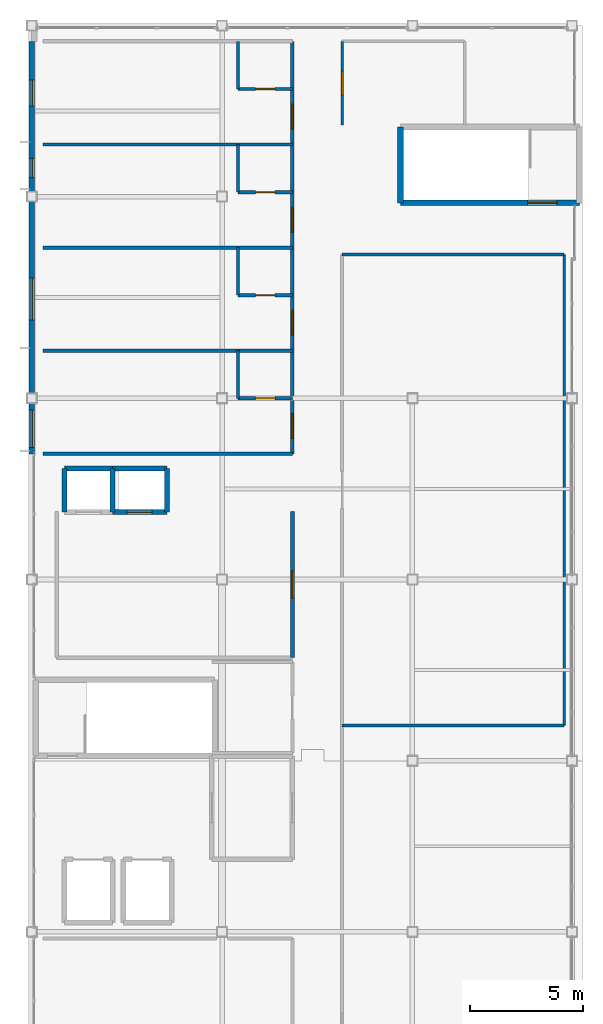
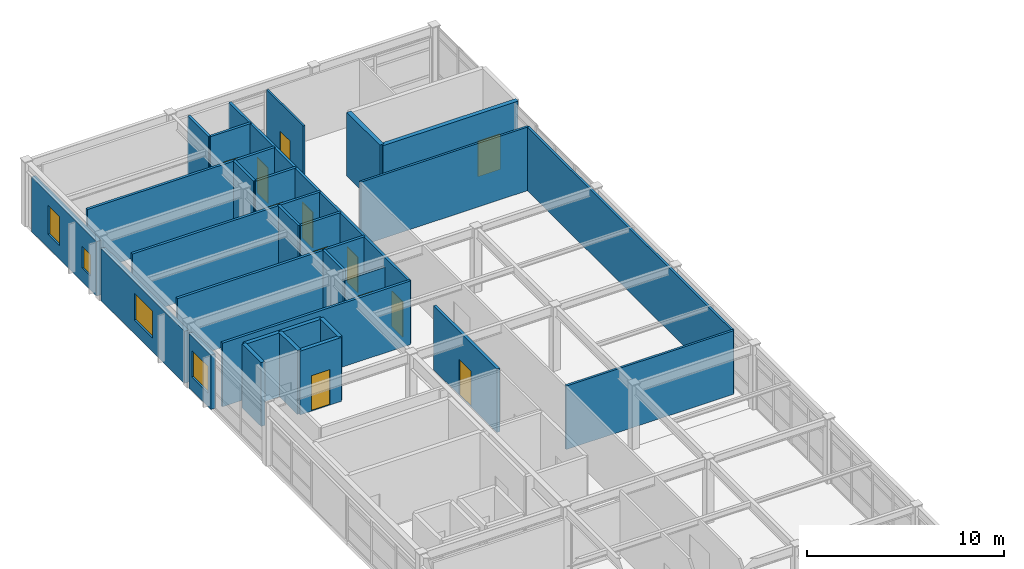
# One storey, part 32 of 34: 29 walls, 12 doors, 4 windows, 16 openings.
"""IFC4 building model written with IfcOpenShell, lengths in metres."""

from ifc_helpers import new_model, si_unit, direction, frame, frame_2d, origin, place, context, subcontext, project, spatial, rectangle, extrude, material, layer, layer_set, type_object, element, fill, save


model = new_model("IFC4")

# Units and contexts
model_context = context("Model", 3, precision=1e-05, world=origin(), true_north=direction((0.0, 1.0)))
body_context = subcontext(model_context, "Body", "Model", "MODEL_VIEW")
ifc_project = project(units=[si_unit("LENGTHUNIT", "METRE"), si_unit("AREAUNIT", "SQUARE_METRE"), si_unit("VOLUMEUNIT", "CUBIC_METRE"), si_unit("PLANEANGLEUNIT", "RADIAN"), si_unit("MASSUNIT", "GRAM", prefix="KILO")], contexts=[model_context])

# Site, building, storey
site_placement = place(None, origin())
site = spatial("IfcSite", under=ifc_project, at=site_placement, CompositionType="ELEMENT")
building_placement = place(site_placement, origin())
building = spatial("IfcBuilding", under=site, at=building_placement, Name="Kazehara Bluff Congress Hotel", CompositionType="ELEMENT")
storey_placement = place(building_placement, frame((0.0, 0.0, 46.199951171875)))
storey = spatial("IfcBuildingStorey", under=building, at=storey_placement, Name="L11", CompositionType="ELEMENT", Elevation=46.199951171875)

# Wall
ifc_material_1 = material(Name="Concrete C40/50", Category="concrete")
ifc_layer_1 = layer(ifc_material_1, 0.25)
ifc_layer_set_1 = layer_set([ifc_layer_1], Name="Concrete C40/50")
wall_type_1 = type_object("IfcWallType", Name="TP-CW-RC", PredefinedType="SHEAR", material=ifc_layer_set_1)
wall_1_placement = place(storey_placement, frame((159.97509765625, 73.074951171875, 0.0), z_axis=(0.0, 0.0, 1.0), x_axis=(0.0, 1.0, 0.0)))
element("IfcWall", 1, at=wall_1_placement, inside=storey, type_object=wall_type_1, Name="L11 ST-12 core wall far", PredefinedType="SHEAR", context=body_context, shape_type="SweptSolid", body=[
    extrude(rectangle(XDim=3.35009765625, YDim=0.25, at=frame_2d((1.675048828125, 0.0))), origin(), (0.0, 0.0, 1.0), 3.949951171875),
])

# Wall, opening, door
wall_2_placement = place(storey_placement, frame((167.875, 73.074951171875, 0.0), z_axis=(0.0, 0.0, 1.0), x_axis=(-1.0, 0.0, 0.0)))
wall_2 = element("IfcWall", 2, at=wall_2_placement, inside=storey, type_object=wall_type_1, Name="L11 ST-12 core wall right", PredefinedType="SHEAR", context=body_context, shape_type="SweptSolid", body=[
    extrude(rectangle(XDim=7.89990234375, YDim=0.25, at=frame_2d((3.949951171875, 0.0))), origin(), (0.0, 0.0, 1.0), 3.949951171875),
])
opening_1_placement = place(wall_2_placement, frame((0.985107421875, 0.0, 0.0)))
opening_1 = element("IfcOpeningElement", 3, at=opening_1_placement, cuts=wall_2, Name="Opening FD-01", PredefinedType="OPENING", context=body_context, shape_type="SweptSolid", body=[
    extrude(rectangle(XDim=1.300048828125, YDim=2.199951171875, at=frame_2d((0.64990234375, 1.10009765625))), frame((0.0, 0.135009765625, 0.0), z_axis=(0.0, -1.0, 0.0), x_axis=(1.0, 0.0, 0.0)), (0.0, 0.0, 1.0), 0.27001953125),
])
ifc_material_2 = material(Name="Fire-rated painted steel leaf", Category="steel")
door_type_1 = type_object("IfcDoorType", Name="TP-FD-01", OperationType="NOTDEFINED", PredefinedType="DOOR", material=ifc_material_2)
door_1_placement = place(opening_1_placement, origin())
door_1 = element("IfcDoor", 4, at=door_1_placement, inside=storey, type_object=door_type_1, Name="L11 ST-12 fire stair door", OperationType="SINGLE_SWING_LEFT", OverallHeight=2.199951171875, OverallWidth=1.300048828125, PredefinedType="DOOR", context=body_context, shape_type="SweptSolid", body=[
    extrude(rectangle(XDim=1.300048828125, YDim=2.199951171875, at=frame_2d((0.64990234375, 1.10009765625))), frame((0.0, 0.02490234375, 0.0), z_axis=(0.0, -1.0, 0.0), x_axis=(1.0, 0.0, 0.0)), (0.0, 0.0, 1.0), 0.050048828125),
])
fill(opening_1, door_1)

# Wall, opening, window
ifc_material_3 = material(Name="Precast concrete C40/50", Category="concrete")
ifc_layer_2 = layer(ifc_material_3, 0.260009765625)
ifc_layer_set_2 = layer_set([ifc_layer_2], Name="Precast concrete C40/50")
wall_type_2 = type_object("IfcWallType", Name="TP-EW-260", PredefinedType="SOLIDWALL", material=ifc_layer_set_2)
wall_3_placement = place(storey_placement, frame((143.699951171875, 62.0, 0.0), z_axis=(0.0, 0.0, 1.0), x_axis=(0.0, 1.0, 0.0)))
wall_3 = element("IfcWall", 5, at=wall_3_placement, inside=storey, type_object=wall_type_2, Name="L11 hotel facade panel 162", PredefinedType="SOLIDWALL", context=body_context, shape_type="SweptSolid", body=[
    extrude(rectangle(XDim=2.22509765625, YDim=0.260009765625, at=frame_2d((1.112548828125, 0.0))), origin(), (0.0, 0.0, 1.0), 3.375),
])
opening_2_placement = place(wall_3_placement, frame((0.284912109375, 0.0, 0.85009765625)))
opening_2 = element("IfcOpeningElement", 6, at=opening_2_placement, cuts=wall_3, Name="Opening WN-28", PredefinedType="OPENING", context=body_context, shape_type="SweptSolid", body=[
    extrude(rectangle(XDim=1.64990234375, YDim=1.64990234375, at=frame_2d((0.824951171875, 0.824951171875))), frame((0.0, 0.139892578125, 0.0), z_axis=(0.0, -1.0, 0.0), x_axis=(1.0, 0.0, 0.0)), (0.0, 0.0, 1.0), 0.280029296875),
])
ifc_material_4 = material(Name="Insulated low-E double glazing", Category="glass")
window_type_1 = type_object("IfcWindowType", Name="TP-WN-28", PartitioningType="SINGLE_PANEL", PredefinedType="WINDOW", material=ifc_material_4)
window_1_placement = place(opening_2_placement, origin())
window_1 = element("IfcWindow", 7, at=window_1_placement, inside=storey, type_object=window_type_1, Name="L11 guestroom window WN-28 321", OverallHeight=1.64990234375, OverallWidth=1.64990234375, PartitioningType="SINGLE_PANEL", PredefinedType="WINDOW", context=body_context, shape_type="SweptSolid", body=[
    extrude(rectangle(XDim=1.64990234375, YDim=1.64990234375, at=frame_2d((0.824951171875, 0.824951171875))), frame((0.0, 0.030029296875, 0.0), z_axis=(0.0, -1.0, 0.0), x_axis=(1.0, 0.0, 0.0)), (0.0, 0.0, 1.0), 0.06005859375),
])
fill(opening_2, window_1)

wall_4_placement = place(storey_placement, frame((143.699951171875, 64.675048828125, 0.0), z_axis=(0.0, 0.0, 1.0), x_axis=(0.0, 1.0, 0.0)))
wall_4 = element("IfcWall", 8, at=wall_4_placement, inside=storey, type_object=wall_type_2, Name="L11 hotel facade panel 163", PredefinedType="SOLIDWALL", context=body_context, shape_type="SweptSolid", body=[
    extrude(rectangle(XDim=8.449951171875, YDim=0.260009765625, at=frame_2d((4.22509765625, 0.0))), origin(), (0.0, 0.0, 1.0), 3.22509765625),
])
opening_3_placement = place(wall_4_placement, frame((3.22509765625, 0.0, 0.85009765625)))
opening_3 = element("IfcOpeningElement", 9, at=opening_3_placement, cuts=wall_4, Name="Opening WN-38", PredefinedType="OPENING", context=body_context, shape_type="SweptSolid", body=[
    extrude(rectangle(XDim=1.85009765625, YDim=1.64990234375, at=frame_2d((0.925048828125, 0.824951171875))), frame((0.0, 0.139892578125, 0.0), z_axis=(0.0, -1.0, 0.0), x_axis=(1.0, 0.0, 0.0)), (0.0, 0.0, 1.0), 0.280029296875),
])
ifc_material_5 = material(Name="Insulated low-E double glazing", Category="glass")
window_type_2 = type_object("IfcWindowType", Name="TP-WN-38", PartitioningType="DOUBLE_PANEL_VERTICAL", PredefinedType="WINDOW", material=ifc_material_5)
window_2_placement = place(opening_3_placement, origin())
window_2 = element("IfcWindow", 10, at=window_2_placement, inside=storey, type_object=window_type_2, Name="L11 guestroom window WN-38 322", OverallHeight=1.64990234375, OverallWidth=1.85009765625, PartitioningType="SINGLE_PANEL", PredefinedType="WINDOW", context=body_context, shape_type="SweptSolid", body=[
    extrude(rectangle(XDim=1.85009765625, YDim=1.64990234375, at=frame_2d((0.925048828125, 0.824951171875))), frame((0.0, 0.030029296875, 0.0), z_axis=(0.0, -1.0, 0.0), x_axis=(1.0, 0.0, 0.0)), (0.0, 0.0, 1.0), 0.06005859375),
])
fill(opening_3, window_2)

# Wall, openings, windows
wall_5_placement = place(storey_placement, frame((143.699951171875, 73.574951171875, 0.0), z_axis=(0.0, 0.0, 1.0), x_axis=(0.0, 1.0, 0.0)))
wall_5 = element("IfcWall", 11, at=wall_5_placement, inside=storey, type_object=wall_type_2, Name="L11 hotel facade panel 164", PredefinedType="SOLIDWALL", context=body_context, shape_type="SweptSolid", body=[
    extrude(rectangle(XDim=6.625, YDim=0.260009765625, at=frame_2d((3.3125, 0.0))), origin(), (0.0, 0.0, 1.0), 3.375),
])
opening_4_placement = place(wall_5_placement, frame((0.614990234375, 0.0, 0.85009765625)))
opening_4 = element("IfcOpeningElement", 12, at=opening_4_placement, cuts=wall_5, Name="Opening WN-55", PredefinedType="OPENING", context=body_context, shape_type="SweptSolid", body=[
    extrude(rectangle(XDim=0.85009765625, YDim=1.35009765625, at=frame_2d((0.425048828125, 0.675048828125))), frame((0.0, 0.139892578125, 0.0), z_axis=(0.0, -1.0, 0.0), x_axis=(1.0, 0.0, 0.0)), (0.0, 0.0, 1.0), 0.280029296875),
])
opening_5_placement = place(wall_5_placement, frame((3.77490234375, 0.0, 0.85009765625)))
opening_5 = element("IfcOpeningElement", 13, at=opening_5_placement, cuts=wall_5, Name="Opening WN-04", PredefinedType="OPENING", context=body_context, shape_type="SweptSolid", body=[
    extrude(rectangle(XDim=1.14990234375, YDim=1.800048828125, at=frame_2d((0.574951171875, 0.89990234375))), frame((0.0, 0.139892578125, 0.0), z_axis=(0.0, -1.0, 0.0), x_axis=(1.0, 0.0, 0.0)), (0.0, 0.0, 1.0), 0.280029296875),
])
ifc_material_6 = material(Name="Insulated low-E double glazing", Category="glass")
window_type_3 = type_object("IfcWindowType", Name="TP-WN-04", PartitioningType="SINGLE_PANEL", PredefinedType="WINDOW", material=ifc_material_6)
window_3_placement = place(opening_5_placement, origin())
window_3 = element("IfcWindow", 14, at=window_3_placement, inside=storey, type_object=window_type_3, Name="L11 guestroom window WN-04 324", OverallHeight=1.800048828125, OverallWidth=1.14990234375, PartitioningType="SINGLE_PANEL", PredefinedType="WINDOW", context=body_context, shape_type="SweptSolid", body=[
    extrude(rectangle(XDim=1.14990234375, YDim=1.800048828125, at=frame_2d((0.574951171875, 0.89990234375))), frame((0.0, 0.030029296875, 0.0), z_axis=(0.0, -1.0, 0.0), x_axis=(1.0, 0.0, 0.0)), (0.0, 0.0, 1.0), 0.06005859375),
])
fill(opening_5, window_3)
ifc_material_7 = material(Name="Insulated low-E double glazing", Category="glass")
window_type_4 = type_object("IfcWindowType", Name="TP-WN-55", PartitioningType="SINGLE_PANEL", PredefinedType="WINDOW", material=ifc_material_7)
window_4_placement = place(opening_4_placement, origin())
window_4 = element("IfcWindow", 15, at=window_4_placement, inside=storey, type_object=window_type_4, Name="L11 guestroom window WN-55 323", OverallHeight=1.35009765625, OverallWidth=0.85009765625, PartitioningType="SINGLE_PANEL", PredefinedType="WINDOW", context=body_context, shape_type="SweptSolid", body=[
    extrude(rectangle(XDim=0.85009765625, YDim=1.35009765625, at=frame_2d((0.425048828125, 0.675048828125))), frame((0.0, 0.030029296875, 0.0), z_axis=(0.0, -1.0, 0.0), x_axis=(1.0, 0.0, 0.0)), (0.0, 0.0, 1.0), 0.06005859375),
])
fill(opening_4, window_4)

# Wall, opening, door
ifc_material_8 = material(Name="Fire-rated gypsum board stud partition")
ifc_layer_3 = layer(ifc_material_8, 0.110107421875)
ifc_layer_set_3 = layer_set([ifc_layer_3], Name="Fire-rated gypsum board stud partition")
wall_type_3 = type_object("IfcWallType", Name="TP-PT-110", PredefinedType="PARTITIONING", material=ifc_layer_set_3)
wall_6_placement = place(storey_placement, frame((157.39990234375, 76.5, 0.0), z_axis=(0.0, 0.0, 1.0), x_axis=(0.0, 1.0, 0.0)))
wall_6 = element("IfcWall", 16, at=wall_6_placement, inside=storey, type_object=wall_type_3, Name="L11 partition PT-110 1452", PredefinedType="PARTITIONING", context=body_context, shape_type="SweptSolid", body=[
    extrude(rectangle(XDim=3.699951171875, YDim=0.110107421875, at=frame_2d((1.85009765625, 0.0))), origin(), (0.0, 0.0, 1.0), 3.93505859375),
])
opening_6_placement = place(wall_6_placement, frame((1.324951171875, 0.0, 0.0)))
opening_6 = element("IfcOpeningElement", 17, at=opening_6_placement, cuts=wall_6, Name="Opening ID-02", PredefinedType="OPENING", context=body_context, shape_type="SweptSolid", body=[
    extrude(rectangle(XDim=1.050048828125, YDim=2.199951171875, at=frame_2d((0.52490234375, 1.10009765625))), frame((0.0, 0.06494140625, 0.0), z_axis=(0.0, -1.0, 0.0), x_axis=(1.0, 0.0, 0.0)), (0.0, 0.0, 1.0), 0.130126953125),
])
ifc_material_9 = material(Name="Architectural oak veneer leaf")
door_type_2 = type_object("IfcDoorType", Name="TP-ID-02", OperationType="NOTDEFINED", PredefinedType="DOOR", material=ifc_material_9)
door_2_placement = place(opening_6_placement, origin())
door_2 = element("IfcDoor", 18, at=door_2_placement, inside=storey, type_object=door_type_2, Name="L11 Sky Restaurant Accessible WC door", OperationType="SINGLE_SWING_LEFT", OverallHeight=2.199951171875, OverallWidth=1.050048828125, PredefinedType="DOOR", context=body_context, shape_type="SweptSolid", body=[
    extrude(rectangle(XDim=1.050048828125, YDim=2.199951171875, at=frame_2d((0.52490234375, 1.10009765625))), frame((0.0, 0.02490234375, 0.0), z_axis=(0.0, -1.0, 0.0), x_axis=(1.0, 0.0, 0.0)), (0.0, 0.0, 1.0), 0.050048828125),
])
fill(opening_6, door_2)

# Walls
ifc_material_10 = material(Name="Fire-rated gypsum board stud partition")
ifc_layer_4 = layer(ifc_material_10, 0.1298828125)
ifc_layer_set_4 = layer_set([ifc_layer_4], Name="Fire-rated gypsum board stud partition")
wall_type_4 = type_object("IfcWallType", Name="TP-PT-130", PredefinedType="PARTITIONING", material=ifc_layer_set_4)
for number, where, z_axis, x_axis, name in (
    (19, (157.39990234375, 50.0, 0.0), (0.0, 0.0, 1.0), (1.0, 0.0, 0.0), "L11 partition PT-130 1424"),
    (20, (157.39990234375, 70.800048828125, 0.0), (0.0, 0.0, 1.0), (1.0, 0.0, 0.0), "L11 partition PT-130 1431"),
):
    element("IfcWall", number, at=place(storey_placement, frame(where, z_axis=z_axis, x_axis=x_axis)), inside=storey, type_object=wall_type_4, Name=name, PredefinedType="PARTITIONING", context=body_context, shape_type="SweptSolid", body=[
        extrude(rectangle(XDim=9.800048828125, YDim=0.1298828125, at=frame_2d((4.89990234375, 0.0))), origin(), (0.0, 0.0, 1.0), 3.93505859375),
    ])
wall_7_placement = place(storey_placement, frame((167.199951171875, 50.0, 0.0), z_axis=(0.0, 0.0, 1.0), x_axis=(0.0, 1.0, 0.0)))
element("IfcWall", 21, at=wall_7_placement, inside=storey, type_object=wall_type_4, Name="L11 partition PT-130 1454", PredefinedType="PARTITIONING", context=body_context, shape_type="SweptSolid", body=[
    extrude(rectangle(XDim=20.800048828125, YDim=0.1298828125, at=frame_2d((10.39990234375, 0.0))), origin(), (0.0, 0.0, 1.0), 3.93505859375),
])
ifc_material_11 = material(Name="Fire-rated gypsum board stud partition")
ifc_layer_5 = layer(ifc_material_11, 0.14990234375)
ifc_layer_set_5 = layer_set([ifc_layer_5], Name="Fire-rated gypsum board stud partition")
wall_type_5 = type_object("IfcWallType", Name="TP-PT-150", PredefinedType="PARTITIONING", material=ifc_layer_set_5)
wall_8_placement = place(storey_placement, frame((144.199951171875, 62.0, 0.0), z_axis=(0.0, 0.0, 1.0), x_axis=(1.0, 0.0, 0.0)))
element("IfcWall", 22, at=wall_8_placement, inside=storey, type_object=wall_type_5, Name="L11 partition PT-150 1427", PredefinedType="PARTITIONING", context=body_context, shape_type="SweptSolid", body=[
    extrude(rectangle(XDim=11.0, YDim=0.14990234375, at=frame_2d((5.5, 0.0))), origin(), (0.0, 0.0, 1.0), 3.93505859375),
])

# Wall, opening, door
wall_9_placement = place(storey_placement, frame((152.800048828125, 64.449951171875, 0.0), z_axis=(0.0, 0.0, 1.0), x_axis=(1.0, 0.0, 0.0)))
wall_9 = element("IfcWall", 23, at=wall_9_placement, inside=storey, type_object=wall_type_5, Name="L11 partition PT-150 1428", PredefinedType="PARTITIONING", context=body_context, shape_type="SweptSolid", body=[
    extrude(rectangle(XDim=2.39990234375, YDim=0.14990234375, at=frame_2d((1.199951171875, 0.0))), origin(), (0.0, 0.0, 1.0), 3.324951171875),
])
opening_7_placement = place(wall_9_placement, frame((0.77490234375, 0.0, 0.0)))
opening_7 = element("IfcOpeningElement", 24, at=opening_7_placement, cuts=wall_9, Name="Opening BD-01", PredefinedType="OPENING", context=body_context, shape_type="SweptSolid", body=[
    extrude(rectangle(XDim=0.85009765625, YDim=2.10009765625, at=frame_2d((0.425048828125, 1.050048828125))), frame((0.0, 0.0849609375, 0.0), z_axis=(0.0, -1.0, 0.0), x_axis=(1.0, 0.0, 0.0)), (0.0, 0.0, 1.0), 0.169921875),
])
ifc_material_12 = material(Name="Architectural oak veneer leaf")
door_type_3 = type_object("IfcDoorType", Name="TP-BD-01", OperationType="NOTDEFINED", PredefinedType="DOOR", material=ifc_material_12)
door_3_placement = place(opening_7_placement, origin())
door_3 = element("IfcDoor", 25, at=door_3_placement, inside=storey, type_object=door_type_3, Name="L11 En-suite Bathroom 321 door", OperationType="SINGLE_SWING_LEFT", OverallHeight=2.10009765625, OverallWidth=0.85009765625, PredefinedType="DOOR", context=body_context, shape_type="SweptSolid", body=[
    extrude(rectangle(XDim=0.85009765625, YDim=2.10009765625, at=frame_2d((0.425048828125, 1.050048828125))), frame((0.0, 0.02490234375, 0.0), z_axis=(0.0, -1.0, 0.0), x_axis=(1.0, 0.0, 0.0)), (0.0, 0.0, 1.0), 0.050048828125),
])
fill(opening_7, door_3)

# Wall
wall_10_placement = place(storey_placement, frame((144.199951171875, 66.550048828125, 0.0), z_axis=(0.0, 0.0, 1.0), x_axis=(1.0, 0.0, 0.0)))
element("IfcWall", 26, at=wall_10_placement, inside=storey, type_object=wall_type_5, Name="L11 partition PT-150 1429", PredefinedType="PARTITIONING", context=body_context, shape_type="SweptSolid", body=[
    extrude(rectangle(XDim=11.0, YDim=0.14990234375, at=frame_2d((5.5, 0.0))), origin(), (0.0, 0.0, 1.0), 3.93505859375),
])

# Wall, opening, door
wall_11_placement = place(storey_placement, frame((152.800048828125, 69.0, 0.0), z_axis=(0.0, 0.0, 1.0), x_axis=(1.0, 0.0, 0.0)))
wall_11 = element("IfcWall", 27, at=wall_11_placement, inside=storey, type_object=wall_type_5, Name="L11 partition PT-150 1430", PredefinedType="PARTITIONING", context=body_context, shape_type="SweptSolid", body=[
    extrude(rectangle(XDim=2.39990234375, YDim=0.14990234375, at=frame_2d((1.199951171875, 0.0))), origin(), (0.0, 0.0, 1.0), 3.93505859375),
])
opening_8_placement = place(wall_11_placement, frame((0.77490234375, 0.0, 0.0)))
opening_8 = element("IfcOpeningElement", 28, at=opening_8_placement, cuts=wall_11, Name="Opening BD-01", PredefinedType="OPENING", context=body_context, shape_type="SweptSolid", body=[
    extrude(rectangle(XDim=0.85009765625, YDim=2.10009765625, at=frame_2d((0.425048828125, 1.050048828125))), frame((0.0, 0.0849609375, 0.0), z_axis=(0.0, -1.0, 0.0), x_axis=(1.0, 0.0, 0.0)), (0.0, 0.0, 1.0), 0.169921875),
])
door_4_placement = place(opening_8_placement, origin())
door_4 = element("IfcDoor", 29, at=door_4_placement, inside=storey, type_object=door_type_3, Name="L11 En-suite Bathroom 322 door", OperationType="SINGLE_SWING_LEFT", OverallHeight=2.10009765625, OverallWidth=0.85009765625, PredefinedType="DOOR", context=body_context, shape_type="SweptSolid", body=[
    extrude(rectangle(XDim=0.85009765625, YDim=2.10009765625, at=frame_2d((0.425048828125, 1.050048828125))), frame((0.0, 0.02490234375, 0.0), z_axis=(0.0, -1.0, 0.0), x_axis=(1.0, 0.0, 0.0)), (0.0, 0.0, 1.0), 0.050048828125),
])
fill(opening_8, door_4)

# Wall
wall_12_placement = place(storey_placement, frame((144.199951171875, 71.10009765625, 0.0), z_axis=(0.0, 0.0, 1.0), x_axis=(1.0, 0.0, 0.0)))
element("IfcWall", 30, at=wall_12_placement, inside=storey, type_object=wall_type_5, Name="L11 partition PT-150 1432", PredefinedType="PARTITIONING", context=body_context, shape_type="SweptSolid", body=[
    extrude(rectangle(XDim=11.0, YDim=0.14990234375, at=frame_2d((5.5, 0.0))), origin(), (0.0, 0.0, 1.0), 3.93505859375),
])

# Wall, opening, door
wall_13_placement = place(storey_placement, frame((152.800048828125, 73.550048828125, 0.0), z_axis=(0.0, 0.0, 1.0), x_axis=(1.0, 0.0, 0.0)))
wall_13 = element("IfcWall", 31, at=wall_13_placement, inside=storey, type_object=wall_type_5, Name="L11 partition PT-150 1433", PredefinedType="PARTITIONING", context=body_context, shape_type="SweptSolid", body=[
    extrude(rectangle(XDim=2.39990234375, YDim=0.14990234375, at=frame_2d((1.199951171875, 0.0))), origin(), (0.0, 0.0, 1.0), 3.93505859375),
])
opening_9_placement = place(wall_13_placement, frame((0.77490234375, 0.0, 0.0)))
opening_9 = element("IfcOpeningElement", 32, at=opening_9_placement, cuts=wall_13, Name="Opening BD-01", PredefinedType="OPENING", context=body_context, shape_type="SweptSolid", body=[
    extrude(rectangle(XDim=0.85009765625, YDim=2.10009765625, at=frame_2d((0.425048828125, 1.050048828125))), frame((0.0, 0.0849609375, 0.0), z_axis=(0.0, -1.0, 0.0), x_axis=(1.0, 0.0, 0.0)), (0.0, 0.0, 1.0), 0.169921875),
])
door_5_placement = place(opening_9_placement, origin())
door_5 = element("IfcDoor", 33, at=door_5_placement, inside=storey, type_object=door_type_3, Name="L11 En-suite Bathroom 323 door", OperationType="SINGLE_SWING_LEFT", OverallHeight=2.10009765625, OverallWidth=0.85009765625, PredefinedType="DOOR", context=body_context, shape_type="SweptSolid", body=[
    extrude(rectangle(XDim=0.85009765625, YDim=2.10009765625, at=frame_2d((0.425048828125, 1.050048828125))), frame((0.0, 0.02490234375, 0.0), z_axis=(0.0, -1.0, 0.0), x_axis=(1.0, 0.0, 0.0)), (0.0, 0.0, 1.0), 0.050048828125),
])
fill(opening_9, door_5)

# Wall
wall_14_placement = place(storey_placement, frame((144.199951171875, 75.64990234375, 0.0), z_axis=(0.0, 0.0, 1.0), x_axis=(1.0, 0.0, 0.0)))
element("IfcWall", 34, at=wall_14_placement, inside=storey, type_object=wall_type_5, Name="L11 partition PT-150 1434", PredefinedType="PARTITIONING", context=body_context, shape_type="SweptSolid", body=[
    extrude(rectangle(XDim=11.0, YDim=0.14990234375, at=frame_2d((5.5, 0.0))), origin(), (0.0, 0.0, 1.0), 3.93505859375),
])

# Wall, opening, door
wall_15_placement = place(storey_placement, frame((152.800048828125, 78.10009765625, 0.0), z_axis=(0.0, 0.0, 1.0), x_axis=(1.0, 0.0, 0.0)))
wall_15 = element("IfcWall", 35, at=wall_15_placement, inside=storey, type_object=wall_type_5, Name="L11 partition PT-150 1435", PredefinedType="PARTITIONING", context=body_context, shape_type="SweptSolid", body=[
    extrude(rectangle(XDim=2.39990234375, YDim=0.14990234375, at=frame_2d((1.199951171875, 0.0))), origin(), (0.0, 0.0, 1.0), 3.93505859375),
])
opening_10_placement = place(wall_15_placement, frame((0.77490234375, 0.0, 0.0)))
opening_10 = element("IfcOpeningElement", 36, at=opening_10_placement, cuts=wall_15, Name="Opening BD-01", PredefinedType="OPENING", context=body_context, shape_type="SweptSolid", body=[
    extrude(rectangle(XDim=0.85009765625, YDim=2.10009765625, at=frame_2d((0.425048828125, 1.050048828125))), frame((0.0, 0.0849609375, 0.0), z_axis=(0.0, -1.0, 0.0), x_axis=(1.0, 0.0, 0.0)), (0.0, 0.0, 1.0), 0.169921875),
])
door_6_placement = place(opening_10_placement, origin())
door_6 = element("IfcDoor", 37, at=door_6_placement, inside=storey, type_object=door_type_3, Name="L11 En-suite Bathroom 324 door", OperationType="SINGLE_SWING_LEFT", OverallHeight=2.10009765625, OverallWidth=0.85009765625, PredefinedType="DOOR", context=body_context, shape_type="SweptSolid", body=[
    extrude(rectangle(XDim=0.85009765625, YDim=2.10009765625, at=frame_2d((0.425048828125, 1.050048828125))), frame((0.0, 0.02490234375, 0.0), z_axis=(0.0, -1.0, 0.0), x_axis=(1.0, 0.0, 0.0)), (0.0, 0.0, 1.0), 0.050048828125),
])
fill(opening_10, door_6)

# Walls
for number, where, z_axis, x_axis, name in (
    (38, (152.800048828125, 64.449951171875, 0.0), (0.0, 0.0, 1.0), (0.0, 1.0, 0.0), "L11 partition PT-150 1440"),
    (39, (152.800048828125, 69.0, 0.0), (0.0, 0.0, 1.0), (0.0, 1.0, 0.0), "L11 partition PT-150 1441"),
):
    element("IfcWall", number, at=place(storey_placement, frame(where, z_axis=z_axis, x_axis=x_axis)), inside=storey, type_object=wall_type_5, Name=name, PredefinedType="PARTITIONING", context=body_context, shape_type="SweptSolid", body=[
        extrude(rectangle(XDim=2.10009765625, YDim=0.14990234375, at=frame_2d((1.050048828125, 0.0))), origin(), (0.0, 0.0, 1.0), 3.93505859375),
    ])
for number, where, z_axis, x_axis, name in (
    (40, (152.800048828125, 73.550048828125, 0.0), (0.0, 0.0, 1.0), (0.0, 1.0, 0.0), "L11 partition PT-150 1442"),
    (41, (152.800048828125, 78.10009765625, 0.0), (0.0, 0.0, 1.0), (0.0, 1.0, 0.0), "L11 partition PT-150 1443"),
):
    element("IfcWall", number, at=place(storey_placement, frame(where, z_axis=z_axis, x_axis=x_axis)), inside=storey, type_object=wall_type_5, Name=name, PredefinedType="PARTITIONING", context=body_context, shape_type="SweptSolid", body=[
        extrude(rectangle(XDim=2.099853515625, YDim=0.14990234375, at=frame_2d((1.0498046875, 0.0))), origin(), (0.0, 0.0, 1.0), 3.93505859375),
    ])

# Wall, openings, doors
wall_16_placement = place(storey_placement, frame((155.199951171875, 62.0, 0.0), z_axis=(0.0, 0.0, 1.0), x_axis=(0.0, 1.0, 0.0)))
wall_16 = element("IfcWall", 42, at=wall_16_placement, inside=storey, type_object=wall_type_5, Name="L11 partition PT-150 1450", PredefinedType="PARTITIONING", context=body_context, shape_type="SweptSolid", body=[
    extrude(rectangle(XDim=18.199951171875, YDim=0.14990234375, at=frame_2d((9.10009765625, 0.0))), origin(), (0.0, 0.0, 1.0), 3.93505859375),
])
opening_11_placement = place(wall_16_placement, frame((0.675048828125, 0.0, 0.0)))
opening_11 = element("IfcOpeningElement", 43, at=opening_11_placement, cuts=wall_16, Name="Opening GD-02", PredefinedType="OPENING", context=body_context, shape_type="SweptSolid", body=[
    extrude(rectangle(XDim=1.10009765625, YDim=2.199951171875, at=frame_2d((0.550048828125, 1.10009765625))), frame((0.0, 0.0849609375, 0.0), z_axis=(0.0, -1.0, 0.0), x_axis=(1.0, 0.0, 0.0)), (0.0, 0.0, 1.0), 0.169921875),
])
opening_12_placement = place(wall_16_placement, frame((5.22509765625, 0.0, 0.0)))
opening_12 = element("IfcOpeningElement", 44, at=opening_12_placement, cuts=wall_16, Name="Opening GD-02", PredefinedType="OPENING", context=body_context, shape_type="SweptSolid", body=[
    extrude(rectangle(XDim=1.10009765625, YDim=2.199951171875, at=frame_2d((0.550048828125, 1.10009765625))), frame((0.0, 0.0849609375, 0.0), z_axis=(0.0, -1.0, 0.0), x_axis=(1.0, 0.0, 0.0)), (0.0, 0.0, 1.0), 0.169921875),
])
opening_13_placement = place(wall_16_placement, frame((9.77490234375, 0.0, 0.0)))
opening_13 = element("IfcOpeningElement", 45, at=opening_13_placement, cuts=wall_16, Name="Opening GD-02", PredefinedType="OPENING", context=body_context, shape_type="SweptSolid", body=[
    extrude(rectangle(XDim=1.10009765625, YDim=2.199951171875, at=frame_2d((0.550048828125, 1.10009765625))), frame((0.0, 0.0849609375, 0.0), z_axis=(0.0, -1.0, 0.0), x_axis=(1.0, 0.0, 0.0)), (0.0, 0.0, 1.0), 0.169921875),
])
opening_14_placement = place(wall_16_placement, frame((14.324951171875, 0.0, 0.0)))
opening_14 = element("IfcOpeningElement", 46, at=opening_14_placement, cuts=wall_16, Name="Opening GD-02", PredefinedType="OPENING", context=body_context, shape_type="SweptSolid", body=[
    extrude(rectangle(XDim=1.10009765625, YDim=2.199951171875, at=frame_2d((0.550048828125, 1.10009765625))), frame((0.0, 0.0849609375, 0.0), z_axis=(0.0, -1.0, 0.0), x_axis=(1.0, 0.0, 0.0)), (0.0, 0.0, 1.0), 0.169921875),
])
ifc_material_13 = material(Name="Architectural oak veneer leaf")
door_type_4 = type_object("IfcDoorType", Name="TP-GD-02", OperationType="NOTDEFINED", PredefinedType="DOOR", material=ifc_material_13)
door_7_placement = place(opening_11_placement, origin())
door_7 = element("IfcDoor", 47, at=door_7_placement, inside=storey, type_object=door_type_4, Name="L11 Presidential Suite 321 door", OperationType="SINGLE_SWING_RIGHT", OverallHeight=2.199951171875, OverallWidth=1.10009765625, PredefinedType="DOOR", context=body_context, shape_type="SweptSolid", body=[
    extrude(rectangle(XDim=1.10009765625, YDim=2.199951171875, at=frame_2d((0.550048828125, 1.10009765625))), frame((0.0, 0.02490234375, 0.0), z_axis=(0.0, -1.0, 0.0), x_axis=(1.0, 0.0, 0.0)), (0.0, 0.0, 1.0), 0.050048828125),
])
fill(opening_11, door_7)
door_8_placement = place(opening_12_placement, origin())
door_8 = element("IfcDoor", 48, at=door_8_placement, inside=storey, type_object=door_type_4, Name="L11 Presidential Suite 322 door", OperationType="SINGLE_SWING_RIGHT", OverallHeight=2.199951171875, OverallWidth=1.10009765625, PredefinedType="DOOR", context=body_context, shape_type="SweptSolid", body=[
    extrude(rectangle(XDim=1.10009765625, YDim=2.199951171875, at=frame_2d((0.550048828125, 1.10009765625))), frame((0.0, 0.02490234375, 0.0), z_axis=(0.0, -1.0, 0.0), x_axis=(1.0, 0.0, 0.0)), (0.0, 0.0, 1.0), 0.050048828125),
])
fill(opening_12, door_8)
door_9_placement = place(opening_13_placement, origin())
door_9 = element("IfcDoor", 49, at=door_9_placement, inside=storey, type_object=door_type_4, Name="L11 Presidential Suite 323 door", OperationType="SINGLE_SWING_RIGHT", OverallHeight=2.199951171875, OverallWidth=1.10009765625, PredefinedType="DOOR", context=body_context, shape_type="SweptSolid", body=[
    extrude(rectangle(XDim=1.10009765625, YDim=2.199951171875, at=frame_2d((0.550048828125, 1.10009765625))), frame((0.0, 0.02490234375, 0.0), z_axis=(0.0, -1.0, 0.0), x_axis=(1.0, 0.0, 0.0)), (0.0, 0.0, 1.0), 0.050048828125),
])
fill(opening_13, door_9)
door_10_placement = place(opening_14_placement, origin())
door_10 = element("IfcDoor", 50, at=door_10_placement, inside=storey, type_object=door_type_4, Name="L11 Presidential Suite 324 door", OperationType="SINGLE_SWING_RIGHT", OverallHeight=2.199951171875, OverallWidth=1.10009765625, PredefinedType="DOOR", context=body_context, shape_type="SweptSolid", body=[
    extrude(rectangle(XDim=1.10009765625, YDim=2.199951171875, at=frame_2d((0.550048828125, 1.10009765625))), frame((0.0, 0.02490234375, 0.0), z_axis=(0.0, -1.0, 0.0), x_axis=(1.0, 0.0, 0.0)), (0.0, 0.0, 1.0), 0.050048828125),
])
fill(opening_14, door_10)

# Wall, opening, door
ifc_material_14 = material(Name="Fire-rated gypsum board stud partition")
ifc_layer_6 = layer(ifc_material_14, 0.169921875)
ifc_layer_set_6 = layer_set([ifc_layer_6], Name="Fire-rated gypsum board stud partition")
wall_type_6 = type_object("IfcWallType", Name="TP-PT-180", PredefinedType="PARTITIONING", material=ifc_layer_set_6)
wall_17_placement = place(storey_placement, frame((155.199951171875, 53.0, 0.0), z_axis=(0.0, 0.0, 1.0), x_axis=(0.0, 1.0, 0.0)))
wall_17 = element("IfcWall", 51, at=wall_17_placement, inside=storey, type_object=wall_type_6, Name="L11 partition PT-180 1449", PredefinedType="PARTITIONING", context=body_context, shape_type="SweptSolid", body=[
    extrude(rectangle(XDim=6.449951171875, YDim=0.169921875, at=frame_2d((3.22509765625, 0.0))), origin(), (0.0, 0.0, 1.0), 3.93505859375),
])
opening_15_placement = place(wall_17_placement, frame((2.625, 0.0, 0.0)))
opening_15 = element("IfcOpeningElement", 52, at=opening_15_placement, cuts=wall_17, Name="Opening FD-02", PredefinedType="OPENING", context=body_context, shape_type="SweptSolid", body=[
    extrude(rectangle(XDim=1.199951171875, YDim=2.199951171875, at=frame_2d((0.60009765625, 1.10009765625))), frame((0.0, 0.094970703125, 0.0), z_axis=(0.0, -1.0, 0.0), x_axis=(1.0, 0.0, 0.0)), (0.0, 0.0, 1.0), 0.18994140625),
])
ifc_material_15 = material(Name="Fire-rated painted steel leaf", Category="steel")
door_type_5 = type_object("IfcDoorType", Name="TP-FD-02", OperationType="NOTDEFINED", PredefinedType="DOOR", material=ifc_material_15)
door_11_placement = place(opening_15_placement, origin())
door_11 = element("IfcDoor", 53, at=door_11_placement, inside=storey, type_object=door_type_5, Name="L11 Hotel Passenger Lift Lobby door", OperationType="SINGLE_SWING_LEFT", OverallHeight=2.199951171875, OverallWidth=1.199951171875, PredefinedType="DOOR", context=body_context, shape_type="SweptSolid", body=[
    extrude(rectangle(XDim=1.199951171875, YDim=2.199951171875, at=frame_2d((0.60009765625, 1.10009765625))), frame((0.0, 0.02490234375, 0.0), z_axis=(0.0, -1.0, 0.0), x_axis=(1.0, 0.0, 0.0)), (0.0, 0.0, 1.0), 0.050048828125),
])
fill(opening_15, door_11)

# Walls
ifc_material_16 = material(Name="Concrete C40/50", Category="concrete")
ifc_layer_7 = layer(ifc_material_16, 0.219970703125)
ifc_layer_set_7 = layer_set([ifc_layer_7], Name="Concrete C40/50")
wall_type_7 = type_object("IfcWallType", Name="TP-SW-RC", PredefinedType="SHEAR", material=ifc_layer_set_7)
wall_18_placement = place(storey_placement, frame((145.139892578125, 61.360107421875, 0.0), z_axis=(0.0, 0.0, 1.0), x_axis=(1.0, 0.0, 0.0)))
element("IfcWall", 54, at=wall_18_placement, inside=storey, type_object=wall_type_7, Name="L11 EL-P1 lift shaft wall +Y", PredefinedType="SHEAR", context=body_context, shape_type="SweptSolid", body=[
    extrude(rectangle(XDim=2.1201171875, YDim=0.219970703125, at=frame_2d((1.06005859375, 0.0))), origin(), (0.0, 0.0, 1.0), 3.949951171875),
])
for number, where, z_axis, x_axis, name in (
    (55, (147.260009765625, 59.43994140625, 0.0), (0.0, 0.0, 1.0), (0.0, 1.0, 0.0), "L11 EL-P1 lift shaft wall +X"),
    (56, (145.139892578125, 59.43994140625, 0.0), (0.0, 0.0, 1.0), (0.0, 1.0, 0.0), "L11 EL-P1 lift shaft wall -X"),
):
    element("IfcWall", number, at=place(storey_placement, frame(where, z_axis=z_axis, x_axis=x_axis)), inside=storey, type_object=wall_type_7, Name=name, PredefinedType="SHEAR", context=body_context, shape_type="SweptSolid", body=[
        extrude(rectangle(XDim=1.920166015625, YDim=0.219970703125, at=frame_2d((0.9599609375, 0.0))), origin(), (0.0, 0.0, 1.0), 3.949951171875),
    ])
wall_19_placement = place(storey_placement, frame((147.260009765625, 61.360107421875, 0.0), z_axis=(0.0, 0.0, 1.0), x_axis=(1.0, 0.0, 0.0)))
element("IfcWall", 57, at=wall_19_placement, inside=storey, type_object=wall_type_7, Name="L11 EL-P2 lift shaft wall +Y", PredefinedType="SHEAR", context=body_context, shape_type="SweptSolid", body=[
    extrude(rectangle(XDim=2.39990234375, YDim=0.219970703125, at=frame_2d((1.199951171875, 0.0))), origin(), (0.0, 0.0, 1.0), 3.949951171875),
])

# Wall, opening, door
wall_20_placement = place(storey_placement, frame((147.260009765625, 59.43994140625, 0.0), z_axis=(0.0, 0.0, 1.0), x_axis=(1.0, 0.0, 0.0)))
wall_20 = element("IfcWall", 58, at=wall_20_placement, inside=storey, type_object=wall_type_7, Name="L11 EL-P2 lift shaft wall -Y", PredefinedType="SHEAR", context=body_context, shape_type="SweptSolid", body=[
    extrude(rectangle(XDim=2.39990234375, YDim=0.219970703125, at=frame_2d((1.199951171875, 0.0))), origin(), (0.0, 0.0, 1.0), 3.949951171875),
])
opening_16_placement = place(wall_20_placement, frame((0.64990234375, 0.0, 0.0)))
opening_16 = element("IfcOpeningElement", 59, at=opening_16_placement, cuts=wall_20, Name="Opening LD-01", PredefinedType="OPENING", context=body_context, shape_type="SweptSolid", body=[
    extrude(rectangle(XDim=1.10009765625, YDim=2.199951171875, at=frame_2d((0.550048828125, 1.10009765625))), frame((0.0, 0.119873046875, 0.0), z_axis=(0.0, -1.0, 0.0), x_axis=(1.0, 0.0, 0.0)), (0.0, 0.0, 1.0), 0.239990234375),
])
ifc_material_17 = material(Name="Fire-rated painted steel leaf", Category="steel")
door_type_6 = type_object("IfcDoorType", Name="TP-LD-01", OperationType="SLIDING_TO_LEFT", PredefinedType="DOOR", material=ifc_material_17)
door_12_placement = place(opening_16_placement, origin())
door_12 = element("IfcDoor", 60, at=door_12_placement, inside=storey, type_object=door_type_6, Name="L11 EL-P2 elevator landing door", OperationType="SLIDING_TO_LEFT", OverallHeight=2.199951171875, OverallWidth=1.10009765625, PredefinedType="DOOR", context=body_context, shape_type="SweptSolid", body=[
    extrude(rectangle(XDim=1.10009765625, YDim=2.199951171875, at=frame_2d((0.550048828125, 1.10009765625))), frame((0.0, 0.02490234375, 0.0), z_axis=(0.0, -1.0, 0.0), x_axis=(1.0, 0.0, 0.0)), (0.0, 0.0, 1.0), 0.050048828125),
])
fill(opening_16, door_12)

# Wall
wall_21_placement = place(storey_placement, frame((149.659912109375, 59.43994140625, 0.0), z_axis=(0.0, 0.0, 1.0), x_axis=(0.0, 1.0, 0.0)))
element("IfcWall", 61, at=wall_21_placement, inside=storey, type_object=wall_type_7, Name="L11 EL-P2 lift shaft wall +X", PredefinedType="SHEAR", context=body_context, shape_type="SweptSolid", body=[
    extrude(rectangle(XDim=1.920166015625, YDim=0.219970703125, at=frame_2d((0.9599609375, 0.0))), origin(), (0.0, 0.0, 1.0), 3.949951171875),
])

save(model, "model.ifc")
